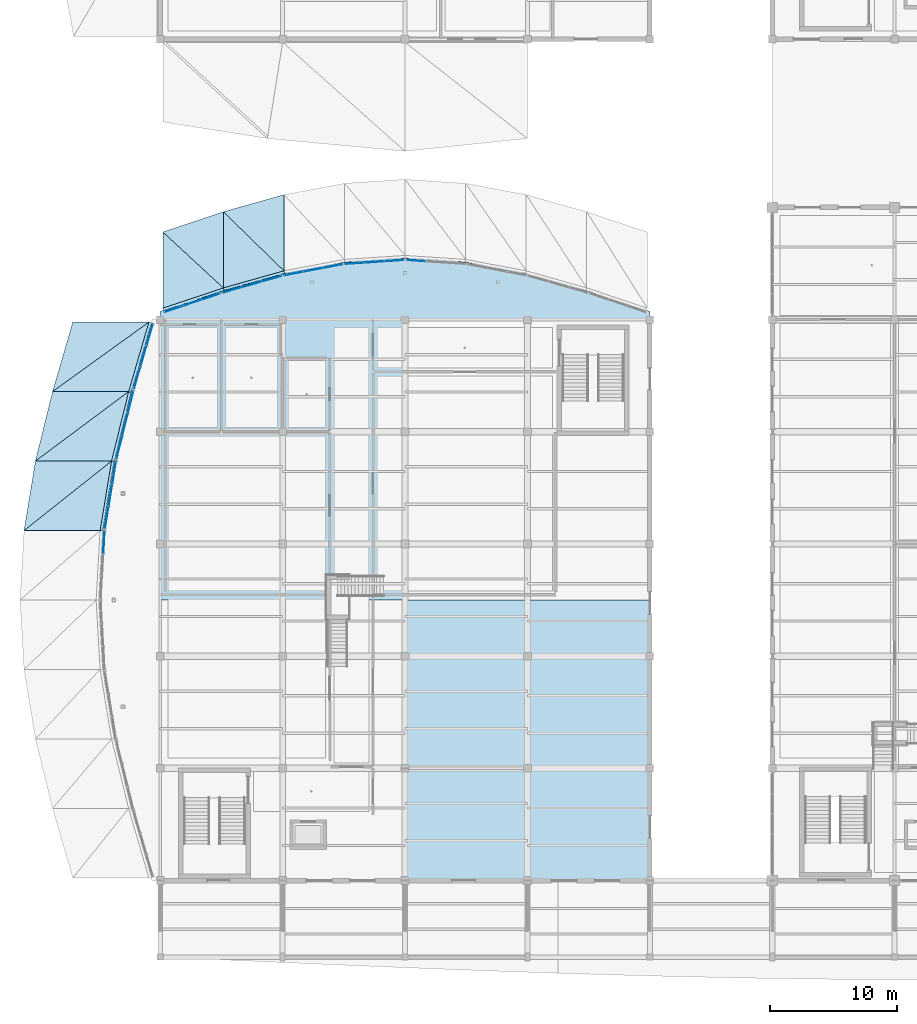
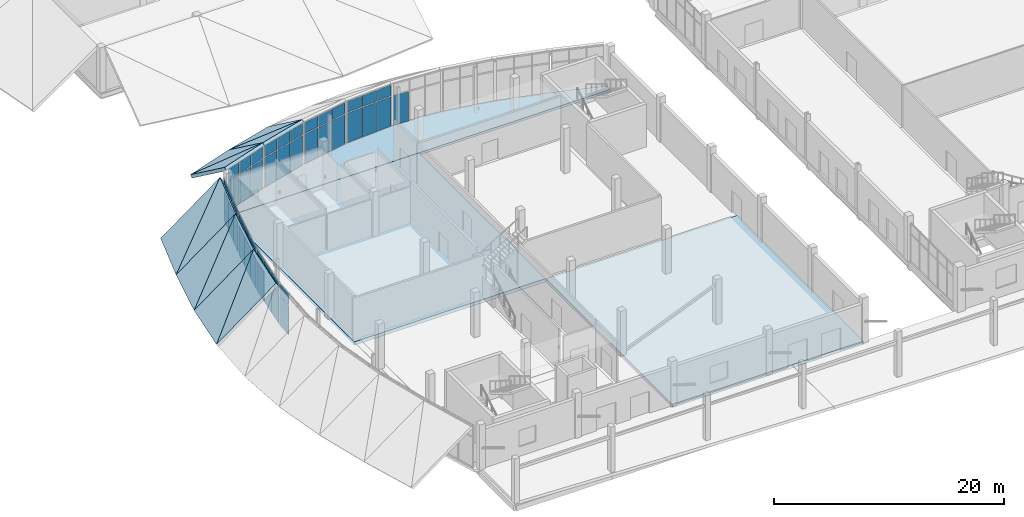
# One storey, part 65 of 116: 45 plates, 13 slabs, 9 elements without a shape of their own.
"""IFC4 building model written with IfcOpenShell, lengths in metres."""

from ifc_helpers import new_model, si_unit, direction, frame, origin, origin_2d, place, context, subcontext, project, spatial, polyline, rectangle, outline, extrude, material, layer, layer_set, type_object, element, aggregate, save


model = new_model("IFC4")

# Units and contexts
model_context = context("Model", 3, precision=1e-05, world=origin(), true_north=direction((0.0, 1.0)))
body_context = subcontext(model_context, "Body", "Model", "MODEL_VIEW")
ifc_project = project(units=[si_unit("LENGTHUNIT", "METRE"), si_unit("AREAUNIT", "SQUARE_METRE"), si_unit("VOLUMEUNIT", "CUBIC_METRE"), si_unit("PLANEANGLEUNIT", "RADIAN"), si_unit("MASSUNIT", "GRAM", prefix="KILO")], contexts=[model_context])

# Site, building, storey
site_placement = place(None, origin())
site = spatial("IfcSite", under=ifc_project, at=site_placement, CompositionType="ELEMENT")
building_placement = place(site_placement, origin())
building = spatial("IfcBuilding", under=site, at=building_placement, Name="Chalmorin Arch Market", CompositionType="ELEMENT")
storey_placement = place(building_placement, origin())
storey = spatial("IfcBuildingStorey", under=building, at=storey_placement, Name="L00", CompositionType="ELEMENT", Elevation=0.0)

# Slabs
ifc_material_1 = material(Name="Concrete C40/50", Category="concrete")
ifc_layer_1 = layer(ifc_material_1, 0.340087890625)
ifc_layer_set_1 = layer_set([ifc_layer_1], Name="Concrete C40/50")
slab_type_1 = type_object("IfcSlabType", Name="GreenMoundDeckSlab-340", PredefinedType="FLOOR", material=ifc_layer_set_1)
slab_1_placement = place(storey_placement, frame((-3.821044921875, 38.89990234375, 4.580078125), z_axis=(-0.590509264343, 0.096976524799, 0.801183101646), x_axis=(-0.804977225698, 0.0, -0.593305710496)))
element("IfcSlab", 1, at=slab_1_placement, inside=storey, type_object=slab_type_1, Name="ETS-340-690", PredefinedType="FLOOR", context=body_context, shape_type="SweptSolid", body=[
    extrude(outline(polyline([(0.0, 0.0), (7.416322490299924, 0.0), (8.136792829511277, 5.475760241962511), (0.0, 0.0)])), origin(), (0.0, 0.0, -1.0), 0.340087890625),
])
slab_2_placement = place(storey_placement, frame((-4.716064453125, 33.449951171875, 4.580078125), z_axis=(-0.590509264343, 0.096976524799, 0.801183101646), x_axis=(0.162054478589, 0.986781812748, 0.0)))
element("IfcSlab", 2, at=slab_2_placement, inside=storey, type_object=slab_type_1, Name="ETS-340-691", PredefinedType="FLOOR", context=body_context, shape_type="SweptSolid", body=[
    extrude(outline(polyline([(0.0, 0.0), (5.522954620231879, 0.0), (-0.9674604894839489, 7.352949032967382), (0.0, 0.0)])), origin(), (0.0, 0.0, -1.0), 0.340087890625),
])
slab_3_placement = place(storey_placement, frame((-2.47900390625, 44.35009765625, 4.580078125), z_axis=(-0.587073700683, 0.1445594039, 0.796521844465), x_axis=(-0.804977225698, 0.0, -0.593305710496)))
element("IfcSlab", 3, at=slab_3_placement, inside=storey, type_object=slab_type_1, Name="ETS-340-692", PredefinedType="FLOOR", context=body_context, shape_type="SweptSolid", body=[
    extrude(outline(polyline([(0.0, 0.0), (7.416322490299925, 0.0), (8.49663494383097, 5.50805120117474), (0.0, 0.0)])), origin(), (0.0, 0.0, -1.0), 0.340087890625),
])
slab_4_placement = place(storey_placement, frame((-3.821044921875, 38.89990234375, 4.580078125), z_axis=(-0.587073700683, 0.1445594039, 0.796521844465), x_axis=(0.239095389388, 0.970996083809, 0.0)))
element("IfcSlab", 4, at=slab_4_placement, inside=storey, type_object=slab_type_1, Name="ETS-340-693", PredefinedType="FLOOR", context=body_context, shape_type="SweptSolid", body=[
    extrude(outline(polyline([(0.0, 0.0), (5.612994123639963, -2.220446049250313e-16), (-1.4273924698994187, 7.277663774660308), (0.0, 0.0)])), origin(), (0.0, 0.0, -1.0), 0.340087890625),
])
slab_5_placement = place(storey_placement, frame((-0.889892578125, 49.800048828125, 4.580078125), z_axis=(-0.584609434641, 0.170435792709, 0.793210848067), x_axis=(-0.804988813238, 0.0, -0.59328998859)))
element("IfcSlab", 5, at=slab_5_placement, inside=storey, type_object=slab_type_1, Name="ETS-340-694", PredefinedType="FLOOR", context=body_context, shape_type="SweptSolid", body=[
    extrude(outline(polyline([(0.0, 0.0), (7.41651901935743, 0.0), (8.695539331015942, 5.530874592476384), (0.0, 0.0)])), origin(), (0.0, 0.0, -1.0), 0.340087890625),
])
slab_6_placement = place(storey_placement, frame((-2.47900390625, 44.35009765625, 4.580078125), z_axis=(-0.584621866706, 0.170465606343, 0.793195278619), x_axis=(0.279925684891, 0.960021672119, 0.0)))
element("IfcSlab", 6, at=slab_6_placement, inside=storey, type_object=slab_type_1, Name="ETS-340-695", PredefinedType="FLOOR", context=body_context, shape_type="SweptSolid", body=[
    extrude(outline(polyline([(0.0, 0.0), (5.676904313884187, 2.220446049250313e-16), (-1.6711481378517827, 7.225586701540783), (0.0, 0.0)])), origin(), (0.0, 0.0, -1.0), 0.340087890625),
])
slab_7_placement = place(storey_placement, frame((4.949951171875, 52.485107421875, 4.580078125), z_axis=(-0.194346686637, 0.581993094537, 0.789628648989), x_axis=(0.0, 0.804977225698, -0.593305710496)))
element("IfcSlab", 7, at=slab_7_placement, inside=storey, type_object=slab_type_1, Name="ETS-340-696", PredefinedType="FLOOR", context=body_context, shape_type="SweptSolid", body=[
    extrude(outline(polyline([(0.0, 0.0), (7.416322490299924, -1.1102230246251565e-16), (6.1394823937761505, 4.842329146698412), (0.0, 0.0)])), origin(), (0.0, 0.0, -1.0), 0.340087890625),
])
slab_8_placement = place(storey_placement, frame((0.199951171875, 50.89892578125, 4.580078125), z_axis=(-0.194346686637, 0.581993094537, 0.789628648989), x_axis=(0.948512529095, 0.316739612537, 0.0)))
element("IfcSlab", 8, at=slab_8_placement, inside=storey, type_object=slab_type_1, Name="ETS-340-697", PredefinedType="FLOOR", context=body_context, shape_type="SweptSolid", body=[
    extrude(outline(polyline([(0.0, 0.0), (5.00784107146541, 2.220446049250313e-16), (1.8909262073676425, 7.171208918893571), (0.0, 0.0)])), origin(), (0.0, 0.0, -1.0), 0.340087890625),
])
slab_9_placement = place(storey_placement, frame((9.699951171875, 53.823974609375, 4.580078125), z_axis=(-0.164942603247, 0.585179301382, 0.793951587232), x_axis=(0.0, 0.804977225698, -0.593305710496)))
element("IfcSlab", 9, at=slab_9_placement, inside=storey, type_object=slab_type_1, Name="ETS-340-698", PredefinedType="FLOOR", context=body_context, shape_type="SweptSolid", body=[
    extrude(outline(polyline([(0.0, 0.0), (7.416322490299924, 0.0), (6.338564896127787, 4.81596344607893), (0.0, 0.0)])), origin(), (0.0, 0.0, -1.0), 0.340087890625),
])
slab_10_placement = place(storey_placement, frame((4.949951171875, 52.485107421875, 4.580078125), z_axis=(-0.164942603247, 0.585179301382, 0.793951587232), x_axis=(0.962496059256, 0.271295661439, 0.0)))
element("IfcSlab", 10, at=slab_10_placement, inside=storey, type_object=slab_type_1, Name="ETS-340-699", PredefinedType="FLOOR", context=body_context, shape_type="SweptSolid", body=[
    extrude(outline(polyline([(0.0, 0.0), (4.935085140680368, 0.0), (1.6196271506773692, 7.237309387674206), (0.0, 0.0)])), origin(), (0.0, 0.0, -1.0), 0.340087890625),
])
ifc_layer_2 = layer(ifc_material_1, 0.25)
ifc_layer_set_2 = layer_set([ifc_layer_2], Name="Concrete C40/50")
slab_type_2 = type_object("IfcSlabType", Name="MezzanineDeckSlab-250", PredefinedType="FLOOR", material=ifc_layer_set_2)
slab_11_placement = place(storey_placement, frame((0.0, 0.0, -0.25)))
element("IfcSlab", 11, at=slab_11_placement, inside=storey, type_object=slab_type_2, Name="FS-250-127", PredefinedType="FLOOR", context=body_context, shape_type="SweptSolid", body=[
    extrude(outline(polyline([(0.0, 50.02001953125), (0.0, 50.64990234375), (3.199951171875, 51.737060546875), (6.39990234375, 52.75), (9.60009765625, 53.6201171875), (12.800048828125, 54.287109375), (16.0, 54.70703125), (19.199951171875, 54.85009765625), (22.39990234375, 54.70703125), (25.60009765625, 54.287109375), (28.800048828125, 53.6201171875), (32.0, 52.75), (35.199951171875, 51.737060546875), (38.39990234375, 50.64990234375), (38.39990234375, 50.02001953125), (0.0, 50.02001953125)])), origin(), (0.0, 0.0, 1.0), 0.25),
])
ifc_layer_3 = layer(ifc_material_1, 0.35009765625)
ifc_layer_set_3 = layer_set([ifc_layer_3], Name="Concrete C40/50")
slab_type_3 = type_object("IfcSlabType", Name="PlinthGroundSlab-350", PredefinedType="BASESLAB", material=ifc_layer_set_3)
slab_12_placement = place(storey_placement, frame((0.0, 0.0, -0.35009765625)))
element("IfcSlab", 12, at=slab_12_placement, inside=storey, type_object=slab_type_3, Name="BS-350-034", PredefinedType="BASESLAB", context=body_context, shape_type="SweptSolid", body=[
    extrude(outline(polyline([(0.010009765625, 28.010009765625), (19.18994140625, 28.010009765625), (19.18994140625, 50.0), (0.010009765625, 50.0), (0.010009765625, 28.010009765625)])), origin(), (0.0, 0.0, 1.0), 0.35009765625),
])
slab_13_placement = place(storey_placement, frame((0.0, 0.0, -0.35009765625)))
element("IfcSlab", 13, at=slab_13_placement, inside=storey, type_object=slab_type_3, Name="BS-350-035", PredefinedType="BASESLAB", context=body_context, shape_type="SweptSolid", body=[
    extrude(outline(polyline([(19.2099609375, 6.010009765625), (38.389892578125, 6.010009765625), (38.389892578125, 27.989990234375), (19.2099609375, 27.989990234375), (19.2099609375, 6.010009765625)])), origin(), (0.0, 0.0, 1.0), 0.35009765625),
])

# Curtain wall, plate
ifc_material_2 = material(Name="Aluminium 6063-T6", Category="aluminium")
ifc_layer_4 = layer(ifc_material_2, 0.159912109375)
ifc_layer_set_4 = layer_set([ifc_layer_4], Name="Aluminium 6063-T6")
curtain_wall_type_1 = type_object("IfcCurtainWallType", Name="RiverfrontStorefrontCurtainWall-CW2-5330x4520", PredefinedType="NOTDEFINED", material=ifc_layer_set_4)
curtain_wall_1_placement = place(storey_placement, origin())
curtain_wall_1 = element("IfcCurtainWall", 14, at=curtain_wall_1_placement, inside=storey, type_object=curtain_wall_type_1, Name="CW-02-057", PredefinedType="NOTDEFINED")
ifc_material_3 = material(Name="Powder-coated Aluminium Panel", Category="aluminium")
ifc_layer_5 = layer(ifc_material_3, 0.0400390625)
ifc_layer_set_5 = layer_set([ifc_layer_5], Name="Powder-coated Aluminium Panel")
plate_type_1 = type_object("IfcPlateType", Name="ShadowboxSpandrelPanel-40", PredefinedType="CURTAIN_PANEL", material=ifc_layer_set_5)
plate_1_placement = place(storey_placement, frame((-4.416748046875, 32.5234375, 3.29931640625), z_axis=(0.0, 0.0, 1.0), x_axis=(0.052335956243, 0.998629534755, 0.0)))
plate_1 = element("IfcPlate", 15, at=plate_1_placement, type_object=plate_type_1, Name="SP-40-057-03B", PredefinedType="CURTAIN_PANEL", context=body_context, shape_type="SweptSolid", body=[
    extrude(rectangle(XDim=1.696533203125, YDim=0.0400390625, at=origin_2d()), origin(), (0.0, 0.0, 1.0), 1.150634765625),
])

# Curtain wall, plates
ifc_layer_6 = layer(ifc_material_2, 0.159912109375)
ifc_layer_set_6 = layer_set([ifc_layer_6], Name="Aluminium 6063-T6")
curtain_wall_type_2 = type_object("IfcCurtainWallType", Name="RiverfrontStorefrontCurtainWall-CW2-5390x4520", PredefinedType="NOTDEFINED", material=ifc_layer_set_6)
curtain_wall_2_placement = place(storey_placement, origin())
curtain_wall_2 = element("IfcCurtainWall", 16, at=curtain_wall_2_placement, inside=storey, type_object=curtain_wall_type_2, Name="CW-02-060", PredefinedType="NOTDEFINED")
plate_2_placement = place(storey_placement, frame((-4.198486328125, 34.475830078125, 3.29931640625), z_axis=(0.0, 0.0, 1.0), x_axis=(0.15643446504, 0.987688340595, 0.0)))
plate_2 = element("IfcPlate", 17, at=plate_2_placement, type_object=plate_type_1, Name="SP-40-060-01B", PredefinedType="CURTAIN_PANEL", context=body_context, shape_type="SweptSolid", body=[
    extrude(rectangle(XDim=1.71826171875, YDim=0.0400390625, at=origin_2d()), origin(), (0.0, 0.0, 1.0), 1.150634765625),
])
plate_3_placement = place(storey_placement, frame((-3.905029296875, 36.25, 3.29931640625), z_axis=(0.0, 0.0, 1.0), x_axis=(0.15643446504, 0.987688340595, 0.0)))
plate_3 = element("IfcPlate", 18, at=plate_3_placement, type_object=plate_type_1, Name="SP-40-060-02B", PredefinedType="CURTAIN_PANEL", context=body_context, shape_type="SweptSolid", body=[
    extrude(rectangle(XDim=1.71826171875, YDim=0.0400390625, at=origin_2d()), origin(), (0.0, 0.0, 1.0), 1.150634765625),
])
plate_4_placement = place(storey_placement, frame((-3.611572265625, 38.024169921875, 3.29931640625), z_axis=(0.0, 0.0, 1.0), x_axis=(0.15643446504, 0.987688340595, 0.0)))
plate_4 = element("IfcPlate", 19, at=plate_4_placement, type_object=plate_type_1, Name="SP-40-060-03B", PredefinedType="CURTAIN_PANEL", context=body_context, shape_type="SweptSolid", body=[
    extrude(rectangle(XDim=1.71826171875, YDim=0.0400390625, at=origin_2d()), origin(), (0.0, 0.0, 1.0), 1.150634765625),
])

ifc_layer_7 = layer(ifc_material_2, 0.159912109375)
ifc_layer_set_7 = layer_set([ifc_layer_7], Name="Aluminium 6063-T6")
curtain_wall_type_3 = type_object("IfcCurtainWallType", Name="RiverfrontStorefrontCurtainWall-CW2-5490x4520", PredefinedType="NOTDEFINED", material=ifc_layer_set_7)
curtain_wall_3_placement = place(storey_placement, origin())
curtain_wall_3 = element("IfcCurtainWall", 20, at=curtain_wall_3_placement, inside=storey, type_object=curtain_wall_type_3, Name="CW-02-063", PredefinedType="NOTDEFINED")
plate_5_placement = place(storey_placement, frame((-3.20849609375, 39.974853515625, 3.29931640625), z_axis=(0.0, 0.0, 1.0), x_axis=(0.2419218956, 0.970295726276, 0.0)))
plate_5 = element("IfcPlate", 21, at=plate_5_placement, type_object=plate_type_1, Name="SP-40-063-01B", PredefinedType="CURTAIN_PANEL", context=body_context, shape_type="SweptSolid", body=[
    extrude(rectangle(XDim=1.748779296875, YDim=0.0400390625, at=origin_2d()), origin(), (0.0, 0.0, 1.0), 1.150634765625),
])
plate_6_placement = place(storey_placement, frame((-2.7685546875, 41.75, 3.29931640625), z_axis=(0.0, 0.0, 1.0), x_axis=(0.2419218956, 0.970295726276, 0.0)))
plate_6 = element("IfcPlate", 22, at=plate_6_placement, type_object=plate_type_1, Name="SP-40-063-02B", PredefinedType="CURTAIN_PANEL", context=body_context, shape_type="SweptSolid", body=[
    extrude(rectangle(XDim=1.748779296875, YDim=0.0400390625, at=origin_2d()), origin(), (0.0, 0.0, 1.0), 1.150634765625),
])
plate_7_placement = place(storey_placement, frame((-2.32861328125, 43.525146484375, 3.29931640625), z_axis=(0.0, 0.0, 1.0), x_axis=(0.2419218956, 0.970295726276, 0.0)))
plate_7 = element("IfcPlate", 23, at=plate_7_placement, type_object=plate_type_1, Name="SP-40-063-03B", PredefinedType="CURTAIN_PANEL", context=body_context, shape_type="SweptSolid", body=[
    extrude(rectangle(XDim=1.748779296875, YDim=0.0400390625, at=origin_2d()), origin(), (0.0, 0.0, 1.0), 1.150634765625),
])

ifc_layer_8 = layer(ifc_material_2, 0.159912109375)
ifc_layer_set_8 = layer_set([ifc_layer_8], Name="Aluminium 6063-T6")
curtain_wall_type_4 = type_object("IfcCurtainWallType", Name="RiverfrontStorefrontCurtainWall-CW2-5290x4520", PredefinedType="NOTDEFINED", material=ifc_layer_set_8)
curtain_wall_4_placement = place(storey_placement, origin())
curtain_wall_4 = element("IfcCurtainWall", 24, at=curtain_wall_4_placement, inside=storey, type_object=curtain_wall_type_4, Name="CW-02-066", PredefinedType="NOTDEFINED")
plate_8_placement = place(storey_placement, frame((-1.814453125, 45.43310546875, 3.29931640625), z_axis=(0.0, 0.0, 1.0), x_axis=(0.275637355817, 0.961261695938, 0.0)))
plate_8 = element("IfcPlate", 25, at=plate_8_placement, type_object=plate_type_1, Name="SP-40-066-01B", PredefinedType="CURTAIN_PANEL", context=body_context, shape_type="SweptSolid", body=[
    extrude(rectangle(XDim=1.68408203125, YDim=0.0400390625, at=origin_2d()), origin(), (0.0, 0.0, 1.0), 1.150634765625),
])
plate_9_placement = place(storey_placement, frame((-1.319580078125, 47.12646484375, 3.29931640625), z_axis=(0.0, 0.0, 1.0), x_axis=(0.275637355817, 0.961261695938, 0.0)))
plate_9 = element("IfcPlate", 26, at=plate_9_placement, type_object=plate_type_1, Name="SP-40-066-02B", PredefinedType="CURTAIN_PANEL", context=body_context, shape_type="SweptSolid", body=[
    extrude(rectangle(XDim=1.68408203125, YDim=0.0400390625, at=origin_2d()), origin(), (0.0, 0.0, 1.0), 1.150634765625),
])
plate_10_placement = place(storey_placement, frame((-0.824951171875, 48.81982421875, 3.29931640625), z_axis=(0.0, 0.0, 1.0), x_axis=(0.275637355817, 0.961261695938, 0.0)))
plate_10 = element("IfcPlate", 27, at=plate_10_placement, type_object=plate_type_1, Name="SP-40-066-03B", PredefinedType="CURTAIN_PANEL", context=body_context, shape_type="SweptSolid", body=[
    extrude(rectangle(XDim=1.68408203125, YDim=0.0400390625, at=origin_2d()), origin(), (0.0, 0.0, 1.0), 1.150634765625),
])

ifc_layer_9 = layer(ifc_material_2, 0.159912109375)
ifc_layer_set_9 = layer_set([ifc_layer_9], Name="Aluminium 6063-T6")
curtain_wall_type_5 = type_object("IfcCurtainWallType", Name="RiverfrontStorefrontCurtainWall-CW2-4630x4520", PredefinedType="NOTDEFINED", material=ifc_layer_set_9)
curtain_wall_5_placement = place(storey_placement, origin())
curtain_wall_5 = element("IfcCurtainWall", 28, at=curtain_wall_5_placement, inside=storey, type_object=curtain_wall_type_5, Name="CW-02-069", PredefinedType="NOTDEFINED")
plate_11_placement = place(storey_placement, frame((1.052490234375, 50.832275390625, 3.29931640625), z_axis=(0.0, 0.0, 1.0), x_axis=(0.945518575599, 0.325568154457, 0.0)))
plate_11 = element("IfcPlate", 29, at=plate_11_placement, type_object=plate_type_1, Name="SP-40-069-01B", PredefinedType="CURTAIN_PANEL", context=body_context, shape_type="SweptSolid", body=[
    extrude(rectangle(XDim=1.46484375, YDim=0.0400390625, at=origin_2d()), origin(), (0.0, 0.0, 1.0), 1.150634765625),
])
plate_12_placement = place(storey_placement, frame((2.517333984375, 51.32275390625, 3.29931640625), z_axis=(0.0, 0.0, 1.0), x_axis=(0.945518575599, 0.325568154457, 0.0)))
plate_12 = element("IfcPlate", 30, at=plate_12_placement, type_object=plate_type_1, Name="SP-40-069-02B", PredefinedType="CURTAIN_PANEL", context=body_context, shape_type="SweptSolid", body=[
    extrude(rectangle(XDim=1.46484375, YDim=0.0400390625, at=origin_2d()), origin(), (0.0, 0.0, 1.0), 1.150634765625),
])
plate_13_placement = place(storey_placement, frame((3.982177734375, 51.813232421875, 3.29931640625), z_axis=(0.0, 0.0, 1.0), x_axis=(0.945518575599, 0.325568154457, 0.0)))
plate_13 = element("IfcPlate", 31, at=plate_13_placement, type_object=plate_type_1, Name="SP-40-069-03B", PredefinedType="CURTAIN_PANEL", context=body_context, shape_type="SweptSolid", body=[
    extrude(rectangle(XDim=1.46484375, YDim=0.0400390625, at=origin_2d()), origin(), (0.0, 0.0, 1.0), 1.150634765625),
])

ifc_layer_10 = layer(ifc_material_2, 0.159912109375)
ifc_layer_set_10 = layer_set([ifc_layer_10], Name="Aluminium 6063-T6")
curtain_wall_type_6 = type_object("IfcCurtainWallType", Name="RiverfrontStorefrontCurtainWall-CW2-4810x4520", PredefinedType="NOTDEFINED", material=ifc_layer_set_10)
curtain_wall_6_placement = place(storey_placement, origin())
curtain_wall_6 = element("IfcCurtainWall", 32, at=curtain_wall_6_placement, inside=storey, type_object=curtain_wall_type_6, Name="CW-02-072", PredefinedType="NOTDEFINED")
plate_14_placement = place(storey_placement, frame((5.65771484375, 52.33056640625, 3.29931640625), z_axis=(0.0, 0.0, 1.0), x_axis=(0.961261695938, 0.275637355817, 0.0)))
plate_14 = element("IfcPlate", 33, at=plate_14_placement, type_object=plate_type_1, Name="SP-40-072-01B", PredefinedType="CURTAIN_PANEL", context=body_context, shape_type="SweptSolid", body=[
    extrude(rectangle(XDim=1.523193359375, YDim=0.0400390625, at=origin_2d()), origin(), (0.0, 0.0, 1.0), 1.150634765625),
])
plate_15_placement = place(storey_placement, frame((7.199951171875, 52.7685546875, 3.29931640625), z_axis=(0.0, 0.0, 1.0), x_axis=(0.961261695938, 0.275637355817, 0.0)))
plate_15 = element("IfcPlate", 34, at=plate_15_placement, type_object=plate_type_1, Name="SP-40-072-02B", PredefinedType="CURTAIN_PANEL", context=body_context, shape_type="SweptSolid", body=[
    extrude(rectangle(XDim=1.523193359375, YDim=0.0400390625, at=origin_2d()), origin(), (0.0, 0.0, 1.0), 1.150634765625),
])
plate_16_placement = place(storey_placement, frame((8.7421875, 53.206298828125, 3.29931640625), z_axis=(0.0, 0.0, 1.0), x_axis=(0.961261695938, 0.275637355817, 0.0)))
plate_16 = element("IfcPlate", 35, at=plate_16_placement, type_object=plate_type_1, Name="SP-40-072-03B", PredefinedType="CURTAIN_PANEL", context=body_context, shape_type="SweptSolid", body=[
    extrude(rectangle(XDim=1.523193359375, YDim=0.0400390625, at=origin_2d()), origin(), (0.0, 0.0, 1.0), 1.150634765625),
])

ifc_layer_11 = layer(ifc_material_2, 0.159912109375)
ifc_layer_set_11 = layer_set([ifc_layer_11], Name="Aluminium 6063-T6")
curtain_wall_type_7 = type_object("IfcCurtainWallType", Name="RiverfrontStorefrontCurtainWall-CW2-4710x4520", PredefinedType="NOTDEFINED", material=ifc_layer_set_11)
curtain_wall_7_placement = place(storey_placement, origin())
curtain_wall_7 = element("IfcCurtainWall", 36, at=curtain_wall_7_placement, inside=storey, type_object=curtain_wall_type_7, Name="CW-02-075", PredefinedType="NOTDEFINED")
plate_17_placement = place(storey_placement, frame((10.458984375, 53.61279296875, 3.29931640625), z_axis=(0.0, 0.0, 1.0), x_axis=(0.981627183448, 0.190808995377, 0.0)))
plate_17 = element("IfcPlate", 37, at=plate_17_placement, type_object=plate_type_1, Name="SP-40-075-01B", PredefinedType="CURTAIN_PANEL", context=body_context, shape_type="SweptSolid", body=[
    extrude(rectangle(XDim=1.488525390625, YDim=0.0400390625, at=origin_2d()), origin(), (0.0, 0.0, 1.0), 1.150634765625),
])
plate_18_placement = place(storey_placement, frame((12.0, 53.905029296875, 3.29931640625), z_axis=(0.0, 0.0, 1.0), x_axis=(0.981627183448, 0.190808995377, 0.0)))
plate_18 = element("IfcPlate", 38, at=plate_18_placement, type_object=plate_type_1, Name="SP-40-075-02B", PredefinedType="CURTAIN_PANEL", context=body_context, shape_type="SweptSolid", body=[
    extrude(rectangle(XDim=1.488525390625, YDim=0.0400390625, at=origin_2d()), origin(), (0.0, 0.0, 1.0), 1.150634765625),
])
plate_19_placement = place(storey_placement, frame((13.541015625, 54.197021484375, 3.29931640625), z_axis=(0.0, 0.0, 1.0), x_axis=(0.981627183448, 0.190808995377, 0.0)))
plate_19 = element("IfcPlate", 39, at=plate_19_placement, type_object=plate_type_1, Name="SP-40-075-03B", PredefinedType="CURTAIN_PANEL", context=body_context, shape_type="SweptSolid", body=[
    extrude(rectangle(XDim=1.488525390625, YDim=0.0400390625, at=origin_2d()), origin(), (0.0, 0.0, 1.0), 1.150634765625),
])

curtain_wall_8_placement = place(storey_placement, origin())
curtain_wall_8 = element("IfcCurtainWall", 40, at=curtain_wall_8_placement, inside=storey, type_object=curtain_wall_type_5, Name="CW-02-078", PredefinedType="NOTDEFINED")
plate_20_placement = place(storey_placement, frame((15.260009765625, 54.417236328125, 3.29931640625), z_axis=(0.0, 0.0, 1.0), x_axis=(0.99756405026, 0.069756473744, 0.0)))
plate_20 = element("IfcPlate", 41, at=plate_20_placement, type_object=plate_type_1, Name="SP-40-078-01B", PredefinedType="CURTAIN_PANEL", context=body_context, shape_type="SweptSolid", body=[
    extrude(rectangle(XDim=1.463623046875, YDim=0.0400390625, at=origin_2d()), origin(), (0.0, 0.0, 1.0), 1.150634765625),
])
plate_21_placement = place(storey_placement, frame((16.800048828125, 54.52001953125, 3.29931640625), z_axis=(0.0, 0.0, 1.0), x_axis=(0.99756405026, 0.069756473744, 0.0)))
plate_21 = element("IfcPlate", 42, at=plate_21_placement, type_object=plate_type_1, Name="SP-40-078-02B", PredefinedType="CURTAIN_PANEL", context=body_context, shape_type="SweptSolid", body=[
    extrude(rectangle(XDim=1.463623046875, YDim=0.0400390625, at=origin_2d()), origin(), (0.0, 0.0, 1.0), 1.150634765625),
])
plate_22_placement = place(storey_placement, frame((18.340087890625, 54.622802734375, 3.29931640625), z_axis=(0.0, 0.0, 1.0), x_axis=(0.99756405026, 0.069756473744, 0.0)))
plate_22 = element("IfcPlate", 43, at=plate_22_placement, type_object=plate_type_1, Name="SP-40-078-03B", PredefinedType="CURTAIN_PANEL", context=body_context, shape_type="SweptSolid", body=[
    extrude(rectangle(XDim=1.463623046875, YDim=0.0400390625, at=origin_2d()), origin(), (0.0, 0.0, 1.0), 1.150634765625),
])

# Plate
ifc_material_4 = material(Name="Low-E Tempered Glass", Category="glass")
ifc_layer_12 = layer(ifc_material_4, 0.028076171875)
ifc_layer_set_12 = layer_set([ifc_layer_12], Name="Low-E Tempered Glass")
plate_type_2 = type_object("IfcPlateType", Name="VisionIGUPanel-28", PredefinedType="CURTAIN_PANEL", material=ifc_layer_set_12)
plate_23_placement = place(storey_placement, frame((-4.416748046875, 32.5234375, 0.06982421875), z_axis=(0.0, 0.0, 1.0), x_axis=(0.052335956243, 0.998629534755, 0.0)))
plate_23 = element("IfcPlate", 44, at=plate_23_placement, type_object=plate_type_2, Name="GL-28-057-03A", PredefinedType="CURTAIN_PANEL", context=body_context, shape_type="SweptSolid", body=[
    extrude(rectangle(XDim=1.696533203125, YDim=0.028076171875, at=origin_2d()), origin(), (0.0, 0.0, 1.0), 3.139404296875),
])

aggregate(curtain_wall_1, [plate_23, plate_1])

plate_24_placement = place(storey_placement, frame((-4.198486328125, 34.475830078125, 0.06982421875), z_axis=(0.0, 0.0, 1.0), x_axis=(0.15643446504, 0.987688340595, 0.0)))
plate_24 = element("IfcPlate", 45, at=plate_24_placement, type_object=plate_type_2, Name="GL-28-060-01A", PredefinedType="CURTAIN_PANEL", context=body_context, shape_type="SweptSolid", body=[
    extrude(rectangle(XDim=1.71826171875, YDim=0.028076171875, at=origin_2d()), origin(), (0.0, 0.0, 1.0), 3.139404296875),
])

plate_25_placement = place(storey_placement, frame((-3.905029296875, 36.25, 0.06982421875), z_axis=(0.0, 0.0, 1.0), x_axis=(0.15643446504, 0.987688340595, 0.0)))
plate_25 = element("IfcPlate", 46, at=plate_25_placement, type_object=plate_type_2, Name="GL-28-060-02A", PredefinedType="CURTAIN_PANEL", context=body_context, shape_type="SweptSolid", body=[
    extrude(rectangle(XDim=1.71826171875, YDim=0.028076171875, at=origin_2d()), origin(), (0.0, 0.0, 1.0), 3.139404296875),
])

plate_26_placement = place(storey_placement, frame((-3.611572265625, 38.024169921875, 0.06982421875), z_axis=(0.0, 0.0, 1.0), x_axis=(0.15643446504, 0.987688340595, 0.0)))
plate_26 = element("IfcPlate", 47, at=plate_26_placement, type_object=plate_type_2, Name="GL-28-060-03A", PredefinedType="CURTAIN_PANEL", context=body_context, shape_type="SweptSolid", body=[
    extrude(rectangle(XDim=1.71826171875, YDim=0.028076171875, at=origin_2d()), origin(), (0.0, 0.0, 1.0), 3.139404296875),
])

aggregate(curtain_wall_2, [plate_24, plate_2, plate_25, plate_3, plate_26, plate_4])

plate_27_placement = place(storey_placement, frame((-3.20849609375, 39.974853515625, 0.06982421875), z_axis=(0.0, 0.0, 1.0), x_axis=(0.2419218956, 0.970295726276, 0.0)))
plate_27 = element("IfcPlate", 48, at=plate_27_placement, type_object=plate_type_2, Name="GL-28-063-01A", PredefinedType="CURTAIN_PANEL", context=body_context, shape_type="SweptSolid", body=[
    extrude(rectangle(XDim=1.748779296875, YDim=0.028076171875, at=origin_2d()), origin(), (0.0, 0.0, 1.0), 3.139404296875),
])

plate_28_placement = place(storey_placement, frame((-2.7685546875, 41.75, 0.06982421875), z_axis=(0.0, 0.0, 1.0), x_axis=(0.2419218956, 0.970295726276, 0.0)))
plate_28 = element("IfcPlate", 49, at=plate_28_placement, type_object=plate_type_2, Name="GL-28-063-02A", PredefinedType="CURTAIN_PANEL", context=body_context, shape_type="SweptSolid", body=[
    extrude(rectangle(XDim=1.748779296875, YDim=0.028076171875, at=origin_2d()), origin(), (0.0, 0.0, 1.0), 3.139404296875),
])

plate_29_placement = place(storey_placement, frame((-2.32861328125, 43.525146484375, 0.06982421875), z_axis=(0.0, 0.0, 1.0), x_axis=(0.2419218956, 0.970295726276, 0.0)))
plate_29 = element("IfcPlate", 50, at=plate_29_placement, type_object=plate_type_2, Name="GL-28-063-03A", PredefinedType="CURTAIN_PANEL", context=body_context, shape_type="SweptSolid", body=[
    extrude(rectangle(XDim=1.748779296875, YDim=0.028076171875, at=origin_2d()), origin(), (0.0, 0.0, 1.0), 3.139404296875),
])

aggregate(curtain_wall_3, [plate_27, plate_5, plate_28, plate_6, plate_29, plate_7])

plate_30_placement = place(storey_placement, frame((-1.814453125, 45.43310546875, 0.06982421875), z_axis=(0.0, 0.0, 1.0), x_axis=(0.275637355817, 0.961261695938, 0.0)))
plate_30 = element("IfcPlate", 51, at=plate_30_placement, type_object=plate_type_2, Name="GL-28-066-01A", PredefinedType="CURTAIN_PANEL", context=body_context, shape_type="SweptSolid", body=[
    extrude(rectangle(XDim=1.68408203125, YDim=0.028076171875, at=origin_2d()), origin(), (0.0, 0.0, 1.0), 3.139404296875),
])

plate_31_placement = place(storey_placement, frame((-1.319580078125, 47.12646484375, 0.06982421875), z_axis=(0.0, 0.0, 1.0), x_axis=(0.275637355817, 0.961261695938, 0.0)))
plate_31 = element("IfcPlate", 52, at=plate_31_placement, type_object=plate_type_2, Name="GL-28-066-02A", PredefinedType="CURTAIN_PANEL", context=body_context, shape_type="SweptSolid", body=[
    extrude(rectangle(XDim=1.68408203125, YDim=0.028076171875, at=origin_2d()), origin(), (0.0, 0.0, 1.0), 3.139404296875),
])

plate_32_placement = place(storey_placement, frame((-0.824951171875, 48.81982421875, 0.06982421875), z_axis=(0.0, 0.0, 1.0), x_axis=(0.275637355817, 0.961261695938, 0.0)))
plate_32 = element("IfcPlate", 53, at=plate_32_placement, type_object=plate_type_2, Name="GL-28-066-03A", PredefinedType="CURTAIN_PANEL", context=body_context, shape_type="SweptSolid", body=[
    extrude(rectangle(XDim=1.68408203125, YDim=0.028076171875, at=origin_2d()), origin(), (0.0, 0.0, 1.0), 3.139404296875),
])

aggregate(curtain_wall_4, [plate_30, plate_8, plate_31, plate_9, plate_32, plate_10])

plate_33_placement = place(storey_placement, frame((1.052490234375, 50.832275390625, 0.06982421875), z_axis=(0.0, 0.0, 1.0), x_axis=(0.945518575599, 0.325568154457, 0.0)))
plate_33 = element("IfcPlate", 54, at=plate_33_placement, type_object=plate_type_2, Name="GL-28-069-01A", PredefinedType="CURTAIN_PANEL", context=body_context, shape_type="SweptSolid", body=[
    extrude(rectangle(XDim=1.46484375, YDim=0.028076171875, at=origin_2d()), origin(), (0.0, 0.0, 1.0), 3.139404296875),
])

plate_34_placement = place(storey_placement, frame((2.517333984375, 51.32275390625, 0.06982421875), z_axis=(0.0, 0.0, 1.0), x_axis=(0.945518575599, 0.325568154457, 0.0)))
plate_34 = element("IfcPlate", 55, at=plate_34_placement, type_object=plate_type_2, Name="GL-28-069-02A", PredefinedType="CURTAIN_PANEL", context=body_context, shape_type="SweptSolid", body=[
    extrude(rectangle(XDim=1.46484375, YDim=0.028076171875, at=origin_2d()), origin(), (0.0, 0.0, 1.0), 3.139404296875),
])

plate_35_placement = place(storey_placement, frame((3.982177734375, 51.813232421875, 0.06982421875), z_axis=(0.0, 0.0, 1.0), x_axis=(0.945518575599, 0.325568154457, 0.0)))
plate_35 = element("IfcPlate", 56, at=plate_35_placement, type_object=plate_type_2, Name="GL-28-069-03A", PredefinedType="CURTAIN_PANEL", context=body_context, shape_type="SweptSolid", body=[
    extrude(rectangle(XDim=1.46484375, YDim=0.028076171875, at=origin_2d()), origin(), (0.0, 0.0, 1.0), 3.139404296875),
])

aggregate(curtain_wall_5, [plate_33, plate_11, plate_34, plate_12, plate_35, plate_13])

plate_36_placement = place(storey_placement, frame((5.65771484375, 52.33056640625, 0.06982421875), z_axis=(0.0, 0.0, 1.0), x_axis=(0.961261695938, 0.275637355817, 0.0)))
plate_36 = element("IfcPlate", 57, at=plate_36_placement, type_object=plate_type_2, Name="GL-28-072-01A", PredefinedType="CURTAIN_PANEL", context=body_context, shape_type="SweptSolid", body=[
    extrude(rectangle(XDim=1.523193359375, YDim=0.028076171875, at=origin_2d()), origin(), (0.0, 0.0, 1.0), 3.139404296875),
])

plate_37_placement = place(storey_placement, frame((7.199951171875, 52.7685546875, 0.06982421875), z_axis=(0.0, 0.0, 1.0), x_axis=(0.961261695938, 0.275637355817, 0.0)))
plate_37 = element("IfcPlate", 58, at=plate_37_placement, type_object=plate_type_2, Name="GL-28-072-02A", PredefinedType="CURTAIN_PANEL", context=body_context, shape_type="SweptSolid", body=[
    extrude(rectangle(XDim=1.523193359375, YDim=0.028076171875, at=origin_2d()), origin(), (0.0, 0.0, 1.0), 3.139404296875),
])

plate_38_placement = place(storey_placement, frame((8.7421875, 53.206298828125, 0.06982421875), z_axis=(0.0, 0.0, 1.0), x_axis=(0.961261695938, 0.275637355817, 0.0)))
plate_38 = element("IfcPlate", 59, at=plate_38_placement, type_object=plate_type_2, Name="GL-28-072-03A", PredefinedType="CURTAIN_PANEL", context=body_context, shape_type="SweptSolid", body=[
    extrude(rectangle(XDim=1.523193359375, YDim=0.028076171875, at=origin_2d()), origin(), (0.0, 0.0, 1.0), 3.139404296875),
])

aggregate(curtain_wall_6, [plate_36, plate_14, plate_37, plate_15, plate_38, plate_16])

plate_39_placement = place(storey_placement, frame((10.458984375, 53.61279296875, 0.06982421875), z_axis=(0.0, 0.0, 1.0), x_axis=(0.981627183448, 0.190808995377, 0.0)))
plate_39 = element("IfcPlate", 60, at=plate_39_placement, type_object=plate_type_2, Name="GL-28-075-01A", PredefinedType="CURTAIN_PANEL", context=body_context, shape_type="SweptSolid", body=[
    extrude(rectangle(XDim=1.488525390625, YDim=0.028076171875, at=origin_2d()), origin(), (0.0, 0.0, 1.0), 3.139404296875),
])

plate_40_placement = place(storey_placement, frame((12.0, 53.905029296875, 0.06982421875), z_axis=(0.0, 0.0, 1.0), x_axis=(0.981627183448, 0.190808995377, 0.0)))
plate_40 = element("IfcPlate", 61, at=plate_40_placement, type_object=plate_type_2, Name="GL-28-075-02A", PredefinedType="CURTAIN_PANEL", context=body_context, shape_type="SweptSolid", body=[
    extrude(rectangle(XDim=1.488525390625, YDim=0.028076171875, at=origin_2d()), origin(), (0.0, 0.0, 1.0), 3.139404296875),
])

plate_41_placement = place(storey_placement, frame((13.541015625, 54.197021484375, 0.06982421875), z_axis=(0.0, 0.0, 1.0), x_axis=(0.981627183448, 0.190808995377, 0.0)))
plate_41 = element("IfcPlate", 62, at=plate_41_placement, type_object=plate_type_2, Name="GL-28-075-03A", PredefinedType="CURTAIN_PANEL", context=body_context, shape_type="SweptSolid", body=[
    extrude(rectangle(XDim=1.488525390625, YDim=0.028076171875, at=origin_2d()), origin(), (0.0, 0.0, 1.0), 3.139404296875),
])

aggregate(curtain_wall_7, [plate_39, plate_17, plate_40, plate_18, plate_41, plate_19])

plate_42_placement = place(storey_placement, frame((15.260009765625, 54.417236328125, 0.06982421875), z_axis=(0.0, 0.0, 1.0), x_axis=(0.99756405026, 0.069756473744, 0.0)))
plate_42 = element("IfcPlate", 63, at=plate_42_placement, type_object=plate_type_2, Name="GL-28-078-01A", PredefinedType="CURTAIN_PANEL", context=body_context, shape_type="SweptSolid", body=[
    extrude(rectangle(XDim=1.463623046875, YDim=0.028076171875, at=origin_2d()), origin(), (0.0, 0.0, 1.0), 3.139404296875),
])

plate_43_placement = place(storey_placement, frame((16.800048828125, 54.52001953125, 0.06982421875), z_axis=(0.0, 0.0, 1.0), x_axis=(0.99756405026, 0.069756473744, 0.0)))
plate_43 = element("IfcPlate", 64, at=plate_43_placement, type_object=plate_type_2, Name="GL-28-078-02A", PredefinedType="CURTAIN_PANEL", context=body_context, shape_type="SweptSolid", body=[
    extrude(rectangle(XDim=1.463623046875, YDim=0.028076171875, at=origin_2d()), origin(), (0.0, 0.0, 1.0), 3.139404296875),
])

plate_44_placement = place(storey_placement, frame((18.340087890625, 54.622802734375, 0.06982421875), z_axis=(0.0, 0.0, 1.0), x_axis=(0.99756405026, 0.069756473744, 0.0)))
plate_44 = element("IfcPlate", 65, at=plate_44_placement, type_object=plate_type_2, Name="GL-28-078-03A", PredefinedType="CURTAIN_PANEL", context=body_context, shape_type="SweptSolid", body=[
    extrude(rectangle(XDim=1.463623046875, YDim=0.028076171875, at=origin_2d()), origin(), (0.0, 0.0, 1.0), 3.139404296875),
])

aggregate(curtain_wall_8, [plate_42, plate_20, plate_43, plate_21, plate_44, plate_22])

# Curtain wall, plate
curtain_wall_9_placement = place(storey_placement, origin())
curtain_wall_9 = element("IfcCurtainWall", 66, at=curtain_wall_9_placement, inside=storey, type_object=curtain_wall_type_5, Name="CW-02-081", PredefinedType="NOTDEFINED")
plate_45_placement = place(storey_placement, frame((20.059814453125, 54.622802734375, 0.06982421875), z_axis=(0.0, 0.0, 1.0), x_axis=(0.99756405026, -0.069756473744, 0.0)))
plate_45 = element("IfcPlate", 67, at=plate_45_placement, type_object=plate_type_2, Name="GL-28-081-01A", PredefinedType="CURTAIN_PANEL", context=body_context, shape_type="SweptSolid", body=[
    extrude(rectangle(XDim=1.463623046875, YDim=0.028076171875, at=origin_2d()), origin(), (0.0, 0.0, 1.0), 3.139404296875),
])
aggregate(curtain_wall_9, [plate_45])

save(model, "model.ifc")
